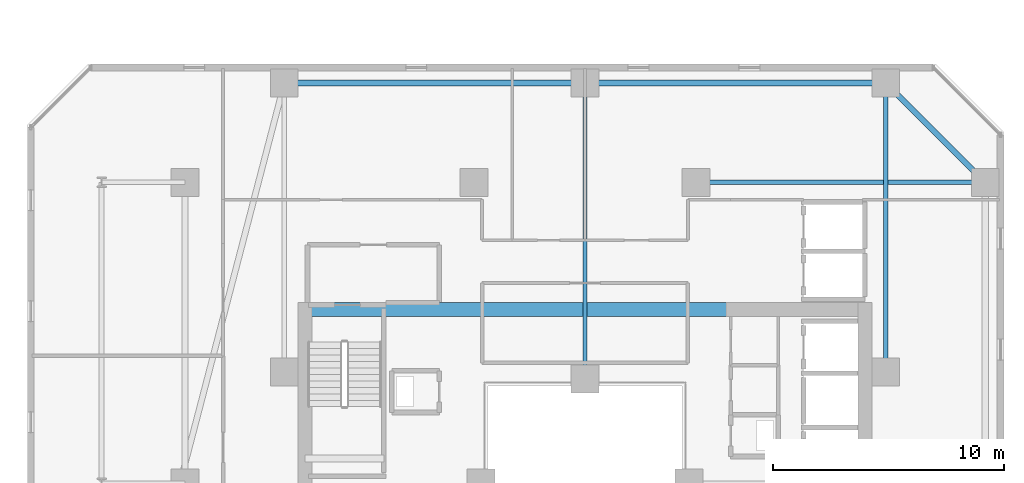
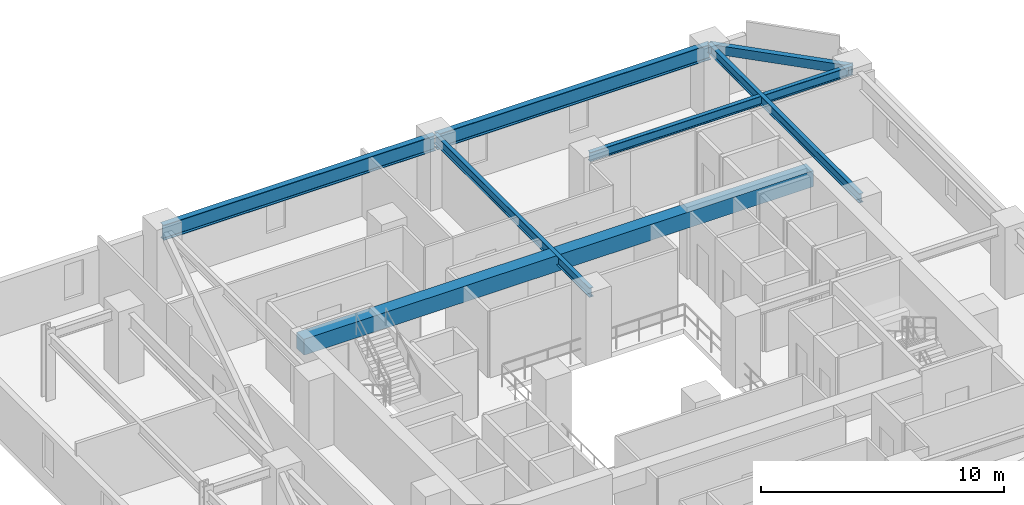
# One storey, part 16 of 33: 7 beams.
"""IFC4 building model written with IfcOpenShell, lengths in metres."""

from ifc_helpers import new_model, si_unit, direction, frame, origin, origin_2d, place, context, subcontext, project, spatial, rectangle, hollow_rectangle, i_section, extrude, material, material_profile, profile_set, type_object, element, save


model = new_model("IFC4")

# Units and contexts
model_context = context("Model", 3, precision=1e-05, world=origin(), true_north=direction((0.0, 1.0)))
body_context = subcontext(model_context, "Body", "Model", "MODEL_VIEW")
ifc_project = project(units=[si_unit("LENGTHUNIT", "METRE"), si_unit("AREAUNIT", "SQUARE_METRE"), si_unit("VOLUMEUNIT", "CUBIC_METRE"), si_unit("PLANEANGLEUNIT", "RADIAN"), si_unit("MASSUNIT", "GRAM", prefix="KILO")], contexts=[model_context])

# Site, building, storey
site_placement = place(None, origin())
site = spatial("IfcSite", under=ifc_project, at=site_placement, CompositionType="ELEMENT")
building_placement = place(site_placement, origin())
building = spatial("IfcBuilding", under=site, at=building_placement, Name="Thornwick Lancets Civic Towers", CompositionType="ELEMENT")
storey_placement = place(building_placement, frame((0.0, 0.0, 112.5)))
storey = spatial("IfcBuildingStorey", under=building, at=storey_placement, Name="L29", CompositionType="ELEMENT", Elevation=112.5)

# Beams
ifc_material_1 = material(Name="Concrete C60/75", Category="concrete")
ifc_material_profile_1 = material_profile(ifc_material_1, rectangle(XDim=0.60009765625, YDim=0.800048828125, at=origin_2d()), Name="RC 600x800")
ifc_profile_set_1 = profile_set([ifc_material_profile_1], Name="Concrete C60/75")
beam_type_1 = type_object("IfcBeamType", Name="BM_COUP_RC800", PredefinedType="BEAM", material=ifc_profile_set_1)
beam_1_placement = place(storey_placement, frame((76.39990234375, 34.5, 2.9599609375), z_axis=(1.0, 0.0, 0.0), x_axis=(0.0, 1.0, 0.0)))
element("IfcBeam", 1, at=beam_1_placement, inside=storey, type_object=beam_type_1, Name="CB-L29-B1", PredefinedType="BEAM", context=body_context, shape_type="SweptSolid", body=[
    extrude(rectangle(XDim=0.60009765625, YDim=0.800048828125, at=origin_2d()), origin(), (0.0, 0.0, 1.0), 24.2001953125),
])
ifc_material_2 = material(Name="Steel S355JR", Category="steel")
ifc_material_profile_2 = material_profile(ifc_material_2, i_section(OverallWidth=0.26806640625, OverallDepth=0.769775390625, WebThickness=0.015625, FlangeThickness=0.025390625, FilletRadius=0.0166015625, at=origin_2d()), Name="UKB 762x267x197")
ifc_profile_set_2 = profile_set([ifc_material_profile_2], Name="Steel S355JR")
beam_type_2 = type_object("IfcBeamType", Name="BM_GIRD_762_197", PredefinedType="BEAM", material=ifc_profile_set_2)
beam_2_placement = place(storey_placement, frame((101.5, 44.300048828125, 2.97509765625), z_axis=(-1.0, 0.0, 0.0), x_axis=(0.0, -1.0, 0.0)))
element("IfcBeam", 2, at=beam_2_placement, inside=storey, type_object=beam_type_2, Name="BM-SPINE-L29-B-3-4", PredefinedType="BEAM", context=body_context, shape_type="SweptSolid", body=[
    extrude(i_section(OverallWidth=0.26806640625, OverallDepth=0.769775390625, WebThickness=0.015625, FlangeThickness=0.025390625, FilletRadius=0.0166015625, at=origin_2d()), origin(), (0.0, 0.0, 1.0), 13.0),
])
beam_3_placement = place(storey_placement, frame((88.419921875, 44.300048828125, 2.97509765625), z_axis=(-1.0, 0.0, 0.0), x_axis=(0.0, -1.0, 0.0)))
element("IfcBeam", 3, at=beam_3_placement, inside=storey, type_object=beam_type_2, Name="BM-SPINE-L29-B-4-5", PredefinedType="BEAM", context=body_context, shape_type="SweptSolid", body=[
    extrude(i_section(OverallWidth=0.26806640625, OverallDepth=0.769775390625, WebThickness=0.015625, FlangeThickness=0.025390625, FilletRadius=0.0166015625, at=origin_2d()), origin(), (0.0, 0.0, 1.0), 12.919921875),
])
ifc_material_profile_3 = material_profile(ifc_material_2, i_section(OverallWidth=0.19189453125, OverallDepth=0.46337890625, WebThickness=0.010498046875, FlangeThickness=0.017578125, FilletRadius=0.01025390625, at=origin_2d()), Name="UKB 457x191x89")
ifc_profile_set_3 = profile_set([ifc_material_profile_3], Name="Steel S355JR")
beam_type_3 = type_object("IfcBeamType", Name="BM_JOIST_457_89", PredefinedType="JOIST", material=ifc_profile_set_3)
for number, where, z_axis, x_axis, name in (
    (4, (93.300048828125, 40.0, 3.12841796875), (1.0, 0.0, 0.0), (0.0, 1.0, 0.0), "BM-RADIN-L29-B03"),
    (5, (101.5, 31.800048828125, 3.12841796875), (0.0, 1.0, 0.0), (-1.0, 0.0, 0.0), "BM-RADIN-L29-B04"),
):
    element("IfcBeam", number, at=place(storey_placement, frame(where, z_axis=z_axis, x_axis=x_axis)), inside=storey, type_object=beam_type_3, Name=name, PredefinedType="JOIST", context=body_context, shape_type="SweptSolid", body=[
        extrude(i_section(OverallWidth=0.19189453125, OverallDepth=0.46337890625, WebThickness=0.010498046875, FlangeThickness=0.017578125, FilletRadius=0.01025390625, at=origin_2d()), origin(), (0.0, 0.0, 1.0), 12.5),
    ])
beam_4_placement = place(storey_placement, frame((88.5, 31.5, 3.12841796875), z_axis=(0.0, 1.0, 0.0), x_axis=(-1.0, 0.0, 0.0)))
element("IfcBeam", 6, at=beam_4_placement, inside=storey, type_object=beam_type_3, Name="BM-RADIN-L29-B05", PredefinedType="JOIST", context=body_context, shape_type="SweptSolid", body=[
    extrude(i_section(OverallWidth=0.19189453125, OverallDepth=0.46337890625, WebThickness=0.010498046875, FlangeThickness=0.017578125, FilletRadius=0.01025390625, at=origin_2d()), origin(), (0.0, 0.0, 1.0), 12.800048828125),
])
ifc_material_profile_4 = material_profile(ifc_material_2, hollow_rectangle(XDim=0.25, YDim=0.449951171875, WallThickness=0.01611328125, at=origin_2d()), Name="RHS 450x250x16")
ifc_profile_set_4 = profile_set([ifc_material_profile_4], Name="Steel S355JR")
beam_type_4 = type_object("IfcBeamType", Name="BM_RING_RHS450", PredefinedType="BEAM", material=ifc_profile_set_4)
beam_5_placement = place(storey_placement, frame((105.800048828125, 40.0, 3.135009765625), z_axis=(-0.707106781187, 0.707106781187, 0.0), x_axis=(-0.707106781187, -0.707106781187, 0.0)))
element("IfcBeam", 7, at=beam_5_placement, inside=storey, type_object=beam_type_4, Name="BM-CHAMF-L29-B-C0", PredefinedType="BEAM", context=body_context, shape_type="SweptSolid", body=[
    extrude(hollow_rectangle(XDim=0.25, YDim=0.449951171875, WallThickness=0.01611328125, at=origin_2d()), origin(), (0.0, 0.0, 1.0), 6.081298828125),
])

save(model, "model.ifc")
